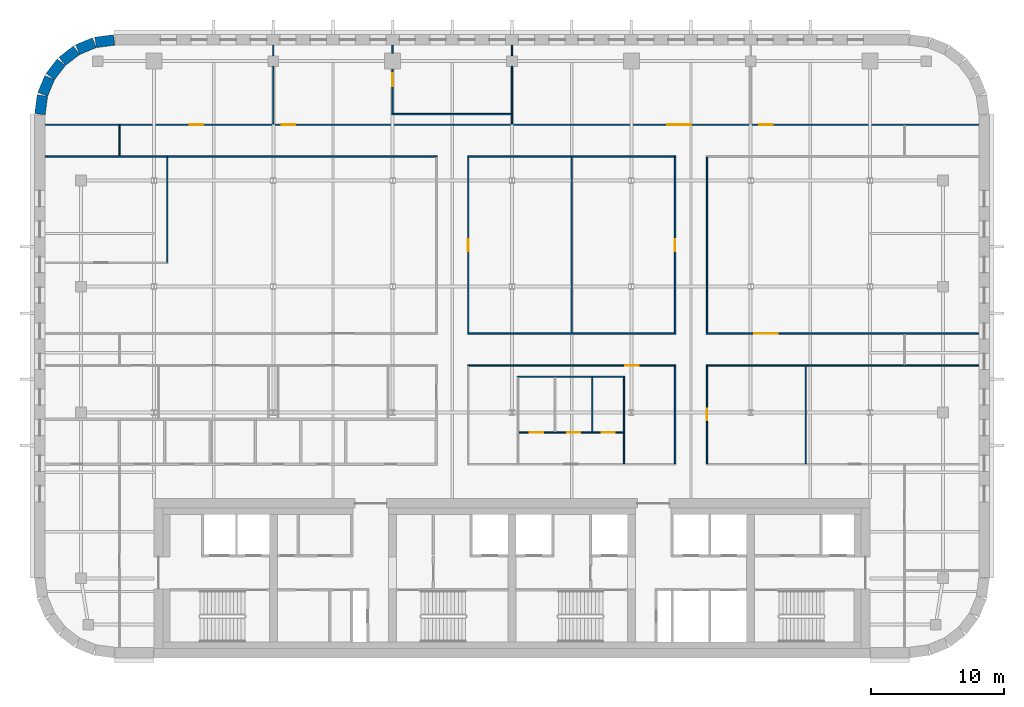
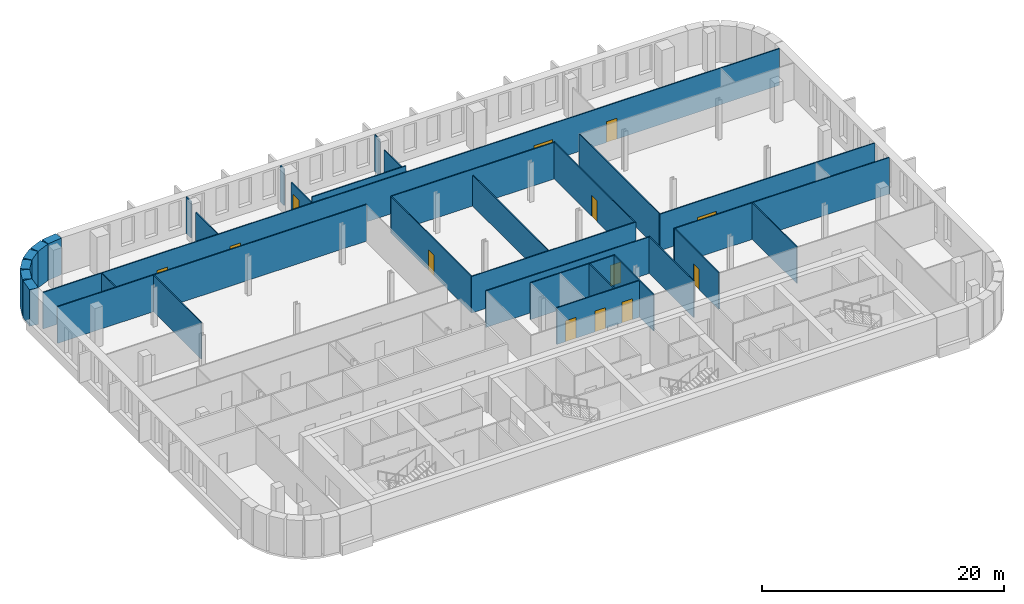
# One storey, part 9 of 15: 33 walls, 13 doors, 13 openings.
"""IFC4 building model written with IfcOpenShell, lengths in metres."""

from ifc_helpers import new_model, si_unit, direction, frame, frame_2d, origin, place, context, subcontext, project, spatial, rectangle, extrude, material, layer, layer_set, type_object, element, fill, save


model = new_model("IFC4")

# Units and contexts
model_context = context("Model", 3, precision=1e-05, world=origin(), true_north=direction((0.0, 1.0)))
body_context = subcontext(model_context, "Body", "Model", "MODEL_VIEW")
ifc_project = project(units=[si_unit("LENGTHUNIT", "METRE"), si_unit("AREAUNIT", "SQUARE_METRE"), si_unit("VOLUMEUNIT", "CUBIC_METRE"), si_unit("PLANEANGLEUNIT", "RADIAN"), si_unit("MASSUNIT", "GRAM", prefix="KILO")], contexts=[model_context])

# Site, building, storey
site_placement = place(None, origin())
site = spatial("IfcSite", under=ifc_project, at=site_placement, CompositionType="ELEMENT")
building_placement = place(site_placement, origin())
building = spatial("IfcBuilding", under=site, at=building_placement, Name="Zellij Exchange Tower", CompositionType="ELEMENT")
storey_placement = place(building_placement, frame((0.0, 0.0, 260.5)))
storey = spatial("IfcBuildingStorey", under=building, at=storey_placement, Name="L61", CompositionType="ELEMENT", Elevation=260.5)

# Walls
ifc_material_1 = material(Name="Precast concrete C40/50", Category="concrete")
ifc_layer_1 = layer(ifc_material_1, 0.800048828125)
ifc_layer_set_1 = layer_set([ifc_layer_1], Name="Precast concrete C40/50")
wall_type_1 = type_object("IfcWallType", Name="ENV-EW1 Precast stone-piered wall 800", PredefinedType="SOLIDWALL", material=ifc_layer_set_1)
wall_1_placement = place(storey_placement, frame((-29.999755859375, 32.5966796875, 0.0), z_axis=(0.0, 0.0, 1.0), x_axis=(-0.99144603414, -0.130517283865, 0.0)))
element("IfcWall", 1, at=wall_1_placement, inside=storey, type_object=wall_type_1, Name="fac.L61.15", PredefinedType="SOLIDWALL", context=body_context, shape_type="SweptSolid", body=[
    extrude(rectangle(XDim=1.408447265625, YDim=0.800048828125, at=frame_2d((0.7041015625, 0.0))), origin(), (0.0, 0.0, 1.0), 3.699951171875),
])
wall_2_placement = place(storey_placement, frame((-31.497314453125, 32.3857421875, 0.0), z_axis=(0.0, 0.0, 1.0), x_axis=(-0.923847774587, -0.38276009378, 0.0)))
element("IfcWall", 2, at=wall_2_placement, inside=storey, type_object=wall_type_1, Name="fac.L61.16", PredefinedType="SOLIDWALL", context=body_context, shape_type="SweptSolid", body=[
    extrude(rectangle(XDim=1.35546875, YDim=0.800048828125, at=frame_2d((0.677734375, 0.0))), origin(), (0.0, 0.0, 1.0), 3.699951171875),
])
for number, where, z_axis, x_axis, name in (
    (3, (-32.840087890625, 31.814697265625, 0.0), (0.0, 0.0, 1.0), (-0.793272915452, -0.608866226366, 0.0), "fac.L61.17"),
    (4, (-33.9892578125, 30.91552734375, 0.0), (0.0, 0.0, 1.0), (-0.608866226366, -0.793272915452, 0.0), "fac.L61.18"),
):
    element("IfcWall", number, at=place(storey_placement, frame(where, z_axis=z_axis, x_axis=x_axis)), inside=storey, type_object=wall_type_1, Name=name, PredefinedType="SOLIDWALL", context=body_context, shape_type="SweptSolid", body=[
        extrude(rectangle(XDim=1.355712890625, YDim=0.800048828125, at=frame_2d((0.677734375, 0.0))), origin(), (0.0, 0.0, 1.0), 3.699951171875),
    ])
wall_3_placement = place(storey_placement, frame((-34.866943359375, 29.74951171875, 0.0), z_axis=(0.0, 0.0, 1.0), x_axis=(-0.38276009378, -0.923847774587, 0.0)))
element("IfcWall", 5, at=wall_3_placement, inside=storey, type_object=wall_type_1, Name="fac.L61.19", PredefinedType="SOLIDWALL", context=body_context, shape_type="SweptSolid", body=[
    extrude(rectangle(XDim=1.35546875, YDim=0.800048828125, at=frame_2d((0.677734375, 0.0))), origin(), (0.0, 0.0, 1.0), 3.699951171875),
])
wall_4_placement = place(storey_placement, frame((-35.412841796875, 28.396240234375, 0.0), z_axis=(0.0, 0.0, 1.0), x_axis=(-0.130517283865, -0.99144603414, 0.0)))
element("IfcWall", 6, at=wall_4_placement, inside=storey, type_object=wall_type_1, Name="fac.L61.20", PredefinedType="SOLIDWALL", context=body_context, shape_type="SweptSolid", body=[
    extrude(rectangle(XDim=1.408447265625, YDim=0.800048828125, at=frame_2d((0.7041015625, 0.0))), origin(), (0.0, 0.0, 1.0), 3.699951171875),
])
ifc_material_2 = material(Name="Gypsum board partition on steel studs", Category="steel")
ifc_layer_2 = layer(ifc_material_2, 0.10009765625)
ifc_layer_set_2 = layer_set([ifc_layer_2], Name="Gypsum board partition on steel studs")
wall_type_2 = type_object("IfcWallType", Name="FIT-PARTITION-100", PredefinedType="PARTITIONING", material=ifc_layer_set_2)
wall_5_placement = place(storey_placement, frame((8.449951171875, 0.64990234375, 0.0), z_axis=(0.0, 0.0, 1.0), x_axis=(0.0, 1.0, 0.0)))
element("IfcWall", 7, at=wall_5_placement, inside=storey, type_object=wall_type_2, Name="FIT-PARTITION-100 017", PredefinedType="PARTITIONING", context=body_context, shape_type="SweptSolid", body=[
    extrude(rectangle(XDim=6.5, YDim=0.10009765625, at=frame_2d((3.25, 0.0))), origin(), (0.0, 0.0, 1.0), 3.699951171875),
])
wall_6_placement = place(storey_placement, frame((12.300048828125, 0.64990234375, 0.0), z_axis=(0.0, 0.0, 1.0), x_axis=(0.0, 1.0, 0.0)))
element("IfcWall", 8, at=wall_6_placement, inside=storey, type_object=wall_type_2, Name="FIT-PARTITION-100 018", PredefinedType="PARTITIONING", context=body_context, shape_type="SweptSolid", body=[
    extrude(rectangle(XDim=7.35009765625, YDim=0.10009765625, at=frame_2d((3.675048828125, 0.0))), origin(), (0.0, 0.0, 1.0), 3.699951171875),
])

# Wall, opening, door
wall_7_placement = place(storey_placement, frame((14.699951171875, 0.64990234375, 0.0), z_axis=(0.0, 0.0, 1.0), x_axis=(0.0, 1.0, 0.0)))
wall_7 = element("IfcWall", 9, at=wall_7_placement, inside=storey, type_object=wall_type_2, Name="FIT-PARTITION-100 020", PredefinedType="PARTITIONING", context=body_context, shape_type="SweptSolid", body=[
    extrude(rectangle(XDim=7.35009765625, YDim=0.10009765625, at=frame_2d((3.675048828125, 0.0))), origin(), (0.0, 0.0, 1.0), 3.699951171875),
])
opening_1_placement = place(wall_7_placement, frame((3.25, 0.0, 0.0)))
opening_1 = element("IfcOpeningElement", 10, at=opening_1_placement, cuts=wall_7, Name="Opening O4F.15", PredefinedType="OPENING", context=body_context, shape_type="SweptSolid", body=[
    extrude(rectangle(XDim=0.89990234375, YDim=2.10009765625, at=frame_2d((0.449951171875, 1.050048828125))), frame((0.0, 0.06201171875, 0.0), z_axis=(0.0, -1.0, 0.0), x_axis=(1.0, 0.0, 0.0)), (0.0, 0.0, 1.0), 0.1240234375),
])
ifc_material_3 = material(Name="Timber door set", Category="wood")
door_type_1 = type_object("IfcDoorType", Name="FIT-D1-ROOM-900X2100", OperationType="SINGLE_SWING_LEFT", PredefinedType="DOOR", material=ifc_material_3)
door_1_placement = place(opening_1_placement, origin())
door_1 = element("IfcDoor", 11, at=door_1_placement, inside=storey, type_object=door_type_1, Name="Door O4F.15", OperationType="SINGLE_SWING_RIGHT", OverallHeight=2.10009765625, OverallWidth=0.89990234375, PredefinedType="DOOR", context=body_context, shape_type="SweptSolid", body=[
    extrude(rectangle(XDim=0.89990234375, YDim=2.10009765625, at=frame_2d((0.449951171875, 1.050048828125))), frame((0.0, 0.02490234375, 0.0), z_axis=(0.0, -1.0, 0.0), x_axis=(1.0, 0.0, 0.0)), (0.0, 0.0, 1.0), 0.050048828125),
])
fill(opening_1, door_1)

# Wall
wall_8_placement = place(storey_placement, frame((22.14990234375, 0.64990234375, 0.0), z_axis=(0.0, 0.0, 1.0), x_axis=(0.0, 1.0, 0.0)))
element("IfcWall", 12, at=wall_8_placement, inside=storey, type_object=wall_type_2, Name="FIT-PARTITION-100 021", PredefinedType="PARTITIONING", context=body_context, shape_type="SweptSolid", body=[
    extrude(rectangle(XDim=7.35009765625, YDim=0.10009765625, at=frame_2d((3.675048828125, 0.0))), origin(), (0.0, 0.0, 1.0), 3.699951171875),
])

# Wall, openings, doors
wall_9_placement = place(storey_placement, frame((0.5, 3.0, 0.0), z_axis=(0.0, 0.0, 1.0), x_axis=(1.0, 0.0, 0.0)))
wall_9 = element("IfcWall", 13, at=wall_9_placement, inside=storey, type_object=wall_type_2, Name="FIT-PARTITION-100 022", PredefinedType="PARTITIONING", context=body_context, shape_type="SweptSolid", body=[
    extrude(rectangle(XDim=7.89990234375, YDim=0.10009765625, at=frame_2d((3.949951171875, 0.0))), origin(), (0.0, 0.0, 1.0), 3.699951171875),
])
opening_2_placement = place(wall_9_placement, frame((0.85009765625, 0.0, 0.0)))
opening_2 = element("IfcOpeningElement", 14, at=opening_2_placement, cuts=wall_9, Name="Opening O4F.12", PredefinedType="OPENING", context=body_context, shape_type="SweptSolid", body=[
    extrude(rectangle(XDim=1.0, YDim=2.10009765625, at=frame_2d((0.5, 1.050048828125))), frame((0.0, 0.06201171875, 0.0), z_axis=(0.0, -1.0, 0.0), x_axis=(1.0, 0.0, 0.0)), (0.0, 0.0, 1.0), 0.1240234375),
])
opening_3_placement = place(wall_9_placement, frame((3.64990234375, 0.0, 0.0)))
opening_3 = element("IfcOpeningElement", 15, at=opening_3_placement, cuts=wall_9, Name="Opening O4F.13", PredefinedType="OPENING", context=body_context, shape_type="SweptSolid", body=[
    extrude(rectangle(XDim=1.0, YDim=2.10009765625, at=frame_2d((0.5, 1.050048828125))), frame((0.0, 0.06201171875, 0.0), z_axis=(0.0, -1.0, 0.0), x_axis=(1.0, 0.0, 0.0)), (0.0, 0.0, 1.0), 0.1240234375),
])
opening_4_placement = place(wall_9_placement, frame((6.25, 0.0, 0.0)))
opening_4 = element("IfcOpeningElement", 16, at=opening_4_placement, cuts=wall_9, Name="Opening O4F.14", PredefinedType="OPENING", context=body_context, shape_type="SweptSolid", body=[
    extrude(rectangle(XDim=1.0, YDim=2.10009765625, at=frame_2d((0.5, 1.050048828125))), frame((0.0, 0.06201171875, 0.0), z_axis=(0.0, -1.0, 0.0), x_axis=(1.0, 0.0, 0.0)), (0.0, 0.0, 1.0), 0.1240234375),
])
door_type_2 = type_object("IfcDoorType", Name="FIT-D2-WIDE-1000X2100", OperationType="SINGLE_SWING_LEFT", PredefinedType="DOOR", material=ifc_material_3)
door_2_placement = place(opening_2_placement, origin())
door_2 = element("IfcDoor", 17, at=door_2_placement, inside=storey, type_object=door_type_2, Name="Door O4F.12", OperationType="SINGLE_SWING_LEFT", OverallHeight=2.10009765625, OverallWidth=1.0, PredefinedType="DOOR", context=body_context, shape_type="SweptSolid", body=[
    extrude(rectangle(XDim=1.0, YDim=2.10009765625, at=frame_2d((0.5, 1.050048828125))), frame((0.0, 0.02490234375, 0.0), z_axis=(0.0, -1.0, 0.0), x_axis=(1.0, 0.0, 0.0)), (0.0, 0.0, 1.0), 0.050048828125),
])
fill(opening_2, door_2)
door_3_placement = place(opening_3_placement, origin())
door_3 = element("IfcDoor", 18, at=door_3_placement, inside=storey, type_object=door_type_2, Name="Door O4F.13", OperationType="SINGLE_SWING_LEFT", OverallHeight=2.10009765625, OverallWidth=1.0, PredefinedType="DOOR", context=body_context, shape_type="SweptSolid", body=[
    extrude(rectangle(XDim=1.0, YDim=2.10009765625, at=frame_2d((0.5, 1.050048828125))), frame((0.0, 0.02490234375, 0.0), z_axis=(0.0, -1.0, 0.0), x_axis=(1.0, 0.0, 0.0)), (0.0, 0.0, 1.0), 0.050048828125),
])
fill(opening_3, door_3)
door_4_placement = place(opening_4_placement, origin())
door_4 = element("IfcDoor", 19, at=door_4_placement, inside=storey, type_object=door_type_2, Name="Door O4F.14", OperationType="SINGLE_SWING_LEFT", OverallHeight=2.10009765625, OverallWidth=1.0, PredefinedType="DOOR", context=body_context, shape_type="SweptSolid", body=[
    extrude(rectangle(XDim=1.0, YDim=2.10009765625, at=frame_2d((0.5, 1.050048828125))), frame((0.0, 0.02490234375, 0.0), z_axis=(0.0, -1.0, 0.0), x_axis=(1.0, 0.0, 0.0)), (0.0, 0.0, 1.0), 0.050048828125),
])
fill(opening_4, door_4)

# Walls
wall_10_placement = place(storey_placement, frame((6.050048828125, 3.050048828125, 0.0), z_axis=(0.0, 0.0, 1.0), x_axis=(0.0, 1.0, 0.0)))
element("IfcWall", 20, at=wall_10_placement, inside=storey, type_object=wall_type_2, Name="FIT-PARTITION-100 024", PredefinedType="PARTITIONING", context=body_context, shape_type="SweptSolid", body=[
    extrude(rectangle(XDim=4.099853515625, YDim=0.10009765625, at=frame_2d((2.0498046875, 0.0))), origin(), (0.0, 0.0, 1.0), 3.699951171875),
])
wall_11_placement = place(storey_placement, frame((0.39990234375, 7.199951171875, 0.0), z_axis=(0.0, 0.0, 1.0), x_axis=(1.0, 0.0, 0.0)))
element("IfcWall", 21, at=wall_11_placement, inside=storey, type_object=wall_type_2, Name="FIT-PARTITION-100 033", PredefinedType="PARTITIONING", context=body_context, shape_type="SweptSolid", body=[
    extrude(rectangle(XDim=8.10009765625, YDim=0.10009765625, at=frame_2d((4.050048828125, 0.0))), origin(), (0.0, 0.0, 1.0), 3.699951171875),
])

# Wall, opening, door
wall_12_placement = place(storey_placement, frame((-3.35009765625, 8.050048828125, 0.0), z_axis=(0.0, 0.0, 1.0), x_axis=(1.0, 0.0, 0.0)))
wall_12 = element("IfcWall", 22, at=wall_12_placement, inside=storey, type_object=wall_type_2, Name="FIT-PARTITION-100 036", PredefinedType="PARTITIONING", context=body_context, shape_type="SweptSolid", body=[
    extrude(rectangle(XDim=15.7001953125, YDim=0.10009765625, at=frame_2d((7.85009765625, 0.0))), origin(), (0.0, 0.0, 1.0), 3.699951171875),
])
opening_5_placement = place(wall_12_placement, frame((11.89990234375, 0.0, 0.0)))
opening_5 = element("IfcOpeningElement", 23, at=opening_5_placement, cuts=wall_12, Name="Opening O4F.20", PredefinedType="OPENING", context=body_context, shape_type="SweptSolid", body=[
    extrude(rectangle(XDim=1.0, YDim=2.10009765625, at=frame_2d((0.5, 1.050048828125))), frame((0.0, 0.06201171875, 0.0), z_axis=(0.0, -1.0, 0.0), x_axis=(1.0, 0.0, 0.0)), (0.0, 0.0, 1.0), 0.1240234375),
])
door_5_placement = place(opening_5_placement, origin())
door_5 = element("IfcDoor", 24, at=door_5_placement, inside=storey, type_object=door_type_2, Name="Door O4F.20", OperationType="SINGLE_SWING_RIGHT", OverallHeight=2.10009765625, OverallWidth=1.0, PredefinedType="DOOR", context=body_context, shape_type="SweptSolid", body=[
    extrude(rectangle(XDim=1.0, YDim=2.10009765625, at=frame_2d((0.5, 1.050048828125))), frame((0.0, 0.02490234375, 0.0), z_axis=(0.0, -1.0, 0.0), x_axis=(1.0, 0.0, 0.0)), (0.0, 0.0, 1.0), 0.050048828125),
])
fill(opening_5, door_5)

# Walls
wall_13_placement = place(storey_placement, frame((14.64990234375, 8.050048828125, 0.0), z_axis=(0.0, 0.0, 1.0), x_axis=(1.0, 0.0, 0.0)))
element("IfcWall", 25, at=wall_13_placement, inside=storey, type_object=wall_type_2, Name="FIT-PARTITION-100 037", PredefinedType="PARTITIONING", context=body_context, shape_type="SweptSolid", body=[
    extrude(rectangle(XDim=20.550048828125, YDim=0.10009765625, at=frame_2d((10.27490234375, 0.0))), origin(), (0.0, 0.0, 1.0), 3.699951171875),
])
wall_14_placement = place(storey_placement, frame((-3.35009765625, 10.449951171875, 0.0), z_axis=(0.0, 0.0, 1.0), x_axis=(1.0, 0.0, 0.0)))
element("IfcWall", 26, at=wall_14_placement, inside=storey, type_object=wall_type_2, Name="FIT-PARTITION-100 041", PredefinedType="PARTITIONING", context=body_context, shape_type="SweptSolid", body=[
    extrude(rectangle(XDim=15.7001953125, YDim=0.10009765625, at=frame_2d((7.85009765625, 0.0))), origin(), (0.0, 0.0, 1.0), 3.699951171875),
])

# Wall, opening, door
wall_15_placement = place(storey_placement, frame((-3.300048828125, 10.5, 0.0), z_axis=(0.0, 0.0, 1.0), x_axis=(0.0, 1.0, 0.0)))
wall_15 = element("IfcWall", 27, at=wall_15_placement, inside=storey, type_object=wall_type_2, Name="FIT-PARTITION-100 042", PredefinedType="PARTITIONING", context=body_context, shape_type="SweptSolid", body=[
    extrude(rectangle(XDim=13.25, YDim=0.10009765625, at=frame_2d((6.625, 0.0))), origin(), (0.0, 0.0, 1.0), 3.699951171875),
])
opening_6_placement = place(wall_15_placement, frame((6.14990234375, 0.0, 0.0)))
opening_6 = element("IfcOpeningElement", 28, at=opening_6_placement, cuts=wall_15, Name="Opening O4F.24", PredefinedType="OPENING", context=body_context, shape_type="SweptSolid", body=[
    extrude(rectangle(XDim=0.89990234375, YDim=2.10009765625, at=frame_2d((0.449951171875, 1.050048828125))), frame((0.0, 0.06201171875, 0.0), z_axis=(0.0, -1.0, 0.0), x_axis=(1.0, 0.0, 0.0)), (0.0, 0.0, 1.0), 0.1240234375),
])
door_6_placement = place(opening_6_placement, origin())
door_6 = element("IfcDoor", 29, at=door_6_placement, inside=storey, type_object=door_type_1, Name="Door O4F.24", OperationType="SINGLE_SWING_LEFT", OverallHeight=2.10009765625, OverallWidth=0.89990234375, PredefinedType="DOOR", context=body_context, shape_type="SweptSolid", body=[
    extrude(rectangle(XDim=0.89990234375, YDim=2.10009765625, at=frame_2d((0.449951171875, 1.050048828125))), frame((0.0, 0.02490234375, 0.0), z_axis=(0.0, -1.0, 0.0), x_axis=(1.0, 0.0, 0.0)), (0.0, 0.0, 1.0), 0.050048828125),
])
fill(opening_6, door_6)

# Wall
wall_16_placement = place(storey_placement, frame((4.5, 10.5, 0.0), z_axis=(0.0, 0.0, 1.0), x_axis=(0.0, 1.0, 0.0)))
element("IfcWall", 30, at=wall_16_placement, inside=storey, type_object=wall_type_2, Name="FIT-PARTITION-100 043", PredefinedType="PARTITIONING", context=body_context, shape_type="SweptSolid", body=[
    extrude(rectangle(XDim=13.25, YDim=0.10009765625, at=frame_2d((6.625, 0.0))), origin(), (0.0, 0.0, 1.0), 3.1005859375),
])

# Wall, opening, door
wall_17_placement = place(storey_placement, frame((12.300048828125, 10.5, 0.0), z_axis=(0.0, 0.0, 1.0), x_axis=(0.0, 1.0, 0.0)))
wall_17 = element("IfcWall", 31, at=wall_17_placement, inside=storey, type_object=wall_type_2, Name="FIT-PARTITION-100 044", PredefinedType="PARTITIONING", context=body_context, shape_type="SweptSolid", body=[
    extrude(rectangle(XDim=13.25, YDim=0.10009765625, at=frame_2d((6.625, 0.0))), origin(), (0.0, 0.0, 1.0), 3.699951171875),
])
opening_7_placement = place(wall_17_placement, frame((6.14990234375, 0.0, 0.0)))
opening_7 = element("IfcOpeningElement", 32, at=opening_7_placement, cuts=wall_17, Name="Opening O4F.25", PredefinedType="OPENING", context=body_context, shape_type="SweptSolid", body=[
    extrude(rectangle(XDim=0.89990234375, YDim=2.10009765625, at=frame_2d((0.449951171875, 1.050048828125))), frame((0.0, 0.06201171875, 0.0), z_axis=(0.0, -1.0, 0.0), x_axis=(1.0, 0.0, 0.0)), (0.0, 0.0, 1.0), 0.1240234375),
])
door_7_placement = place(opening_7_placement, origin())
door_7 = element("IfcDoor", 33, at=door_7_placement, inside=storey, type_object=door_type_1, Name="Door O4F.25", OperationType="SINGLE_SWING_RIGHT", OverallHeight=2.10009765625, OverallWidth=0.89990234375, PredefinedType="DOOR", context=body_context, shape_type="SweptSolid", body=[
    extrude(rectangle(XDim=0.89990234375, YDim=2.10009765625, at=frame_2d((0.449951171875, 1.050048828125))), frame((0.0, 0.02490234375, 0.0), z_axis=(0.0, -1.0, 0.0), x_axis=(1.0, 0.0, 0.0)), (0.0, 0.0, 1.0), 0.050048828125),
])
fill(opening_7, door_7)

wall_18_placement = place(storey_placement, frame((14.64990234375, 10.449951171875, 0.0), z_axis=(0.0, 0.0, 1.0), x_axis=(1.0, 0.0, 0.0)))
wall_18 = element("IfcWall", 34, at=wall_18_placement, inside=storey, type_object=wall_type_2, Name="FIT-PARTITION-100 045", PredefinedType="PARTITIONING", context=body_context, shape_type="SweptSolid", body=[
    extrude(rectangle(XDim=20.550048828125, YDim=0.10009765625, at=frame_2d((10.27490234375, 0.0))), origin(), (0.0, 0.0, 1.0), 3.699951171875),
])
opening_8_placement = place(wall_18_placement, frame((3.60009765625, 0.0, 0.0)))
opening_8 = element("IfcOpeningElement", 35, at=opening_8_placement, cuts=wall_18, Name="Opening O4F.22", PredefinedType="OPENING", context=body_context, shape_type="SweptSolid", body=[
    extrude(rectangle(XDim=1.800048828125, YDim=2.10009765625, at=frame_2d((0.89990234375, 1.050048828125))), frame((0.0, 0.06201171875, 0.0), z_axis=(0.0, -1.0, 0.0), x_axis=(1.0, 0.0, 0.0)), (0.0, 0.0, 1.0), 0.1240234375),
])
door_type_3 = type_object("IfcDoorType", Name="FIT-D3-DOUBLE-1800X2100", OperationType="DOUBLE_DOOR_SINGLE_SWING", PredefinedType="DOOR", material=ifc_material_3)
door_8_placement = place(opening_8_placement, origin())
door_8 = element("IfcDoor", 36, at=door_8_placement, inside=storey, type_object=door_type_3, Name="Door O4F.22", OperationType="DOUBLE_DOOR_SINGLE_SWING", OverallHeight=2.10009765625, OverallWidth=1.800048828125, PredefinedType="DOOR", context=body_context, shape_type="SweptSolid", body=[
    extrude(rectangle(XDim=1.800048828125, YDim=2.10009765625, at=frame_2d((0.89990234375, 1.050048828125))), frame((0.0, 0.02490234375, 0.0), z_axis=(0.0, -1.0, 0.0), x_axis=(1.0, 0.0, 0.0)), (0.0, 0.0, 1.0), 0.050048828125),
])
fill(opening_8, door_8)

# Walls
wall_19_placement = place(storey_placement, frame((14.699951171875, 10.5, 0.0), z_axis=(0.0, 0.0, 1.0), x_axis=(0.0, 1.0, 0.0)))
element("IfcWall", 37, at=wall_19_placement, inside=storey, type_object=wall_type_2, Name="FIT-PARTITION-100 046", PredefinedType="PARTITIONING", context=body_context, shape_type="SweptSolid", body=[
    extrude(rectangle(XDim=13.25, YDim=0.10009765625, at=frame_2d((6.625, 0.0))), origin(), (0.0, 0.0, 1.0), 3.699951171875),
])
wall_20_placement = place(storey_placement, frame((-26.0, 15.85009765625, 0.0), z_axis=(0.0, 0.0, 1.0), x_axis=(0.0, 1.0, 0.0)))
element("IfcWall", 38, at=wall_20_placement, inside=storey, type_object=wall_type_2, Name="FIT-PARTITION-100 048", PredefinedType="PARTITIONING", context=body_context, shape_type="SweptSolid", body=[
    extrude(rectangle(XDim=7.89990234375, YDim=0.10009765625, at=frame_2d((3.949951171875, 0.0))), origin(), (0.0, 0.0, 1.0), 3.699951171875),
])
wall_21_placement = place(storey_placement, frame((-35.199951171875, 23.800048828125, 0.0), z_axis=(0.0, 0.0, 1.0), x_axis=(1.0, 0.0, 0.0)))
element("IfcWall", 39, at=wall_21_placement, inside=storey, type_object=wall_type_2, Name="FIT-PARTITION-100 049", PredefinedType="PARTITIONING", context=body_context, shape_type="SweptSolid", body=[
    extrude(rectangle(XDim=29.550048828125, YDim=0.10009765625, at=frame_2d((14.77490234375, 0.0))), origin(), (0.0, 0.0, 1.0), 3.699951171875),
])
wall_22_placement = place(storey_placement, frame((-29.60009765625, 23.85009765625, 0.0), z_axis=(0.0, 0.0, 1.0), x_axis=(0.0, 1.0, 0.0)))
element("IfcWall", 40, at=wall_22_placement, inside=storey, type_object=wall_type_2, Name="FIT-PARTITION-100 050", PredefinedType="PARTITIONING", context=body_context, shape_type="SweptSolid", body=[
    extrude(rectangle(XDim=2.2998046875, YDim=0.10009765625, at=frame_2d((1.14990234375, 0.0))), origin(), (0.0, 0.0, 1.0), 3.699951171875),
])
wall_23_placement = place(storey_placement, frame((-3.35009765625, 23.800048828125, 0.0), z_axis=(0.0, 0.0, 1.0), x_axis=(1.0, 0.0, 0.0)))
element("IfcWall", 41, at=wall_23_placement, inside=storey, type_object=wall_type_2, Name="FIT-PARTITION-100 051", PredefinedType="PARTITIONING", context=body_context, shape_type="SweptSolid", body=[
    extrude(rectangle(XDim=15.7001953125, YDim=0.10009765625, at=frame_2d((7.85009765625, 0.0))), origin(), (0.0, 0.0, 1.0), 3.699951171875),
])

# Wall, openings, doors
wall_24_placement = place(storey_placement, frame((-35.199951171875, 26.199951171875, 0.0), z_axis=(0.0, 0.0, 1.0), x_axis=(1.0, 0.0, 0.0)))
wall_24 = element("IfcWall", 42, at=wall_24_placement, inside=storey, type_object=wall_type_2, Name="FIT-PARTITION-100 054", PredefinedType="PARTITIONING", context=body_context, shape_type="SweptSolid", body=[
    extrude(rectangle(XDim=70.39990234375, YDim=0.10009765625, at=frame_2d((35.199951171875, 0.0))), origin(), (0.0, 0.0, 1.0), 3.699951171875),
])
opening_9_placement = place(wall_24_placement, frame((10.89990234375, 0.0, 0.0)))
opening_9 = element("IfcOpeningElement", 43, at=opening_9_placement, cuts=wall_24, Name="Opening O4F.26", PredefinedType="OPENING", context=body_context, shape_type="SweptSolid", body=[
    extrude(rectangle(XDim=1.0, YDim=2.10009765625, at=frame_2d((0.5, 1.050048828125))), frame((0.0, 0.06201171875, 0.0), z_axis=(0.0, -1.0, 0.0), x_axis=(1.0, 0.0, 0.0)), (0.0, 0.0, 1.0), 0.1240234375),
])
opening_10_placement = place(wall_24_placement, frame((17.85009765625, 0.0, 0.0)))
opening_10 = element("IfcOpeningElement", 44, at=opening_10_placement, cuts=wall_24, Name="Opening O4F.27", PredefinedType="OPENING", context=body_context, shape_type="SweptSolid", body=[
    extrude(rectangle(XDim=1.0, YDim=2.10009765625, at=frame_2d((0.5, 1.050048828125))), frame((0.0, 0.06201171875, 0.0), z_axis=(0.0, -1.0, 0.0), x_axis=(1.0, 0.0, 0.0)), (0.0, 0.0, 1.0), 0.1240234375),
])
opening_11_placement = place(wall_24_placement, frame((46.89990234375, 0.0, 0.0)))
opening_11 = element("IfcOpeningElement", 45, at=opening_11_placement, cuts=wall_24, Name="Opening O4F.28", PredefinedType="OPENING", context=body_context, shape_type="SweptSolid", body=[
    extrude(rectangle(XDim=1.800048828125, YDim=2.10009765625, at=frame_2d((0.89990234375, 1.050048828125))), frame((0.0, 0.06201171875, 0.0), z_axis=(0.0, -1.0, 0.0), x_axis=(1.0, 0.0, 0.0)), (0.0, 0.0, 1.0), 0.1240234375),
])
opening_12_placement = place(wall_24_placement, frame((53.85009765625, 0.0, 0.0)))
opening_12 = element("IfcOpeningElement", 46, at=opening_12_placement, cuts=wall_24, Name="Opening O4F.29", PredefinedType="OPENING", context=body_context, shape_type="SweptSolid", body=[
    extrude(rectangle(XDim=1.0, YDim=2.10009765625, at=frame_2d((0.5, 1.050048828125))), frame((0.0, 0.06201171875, 0.0), z_axis=(0.0, -1.0, 0.0), x_axis=(1.0, 0.0, 0.0)), (0.0, 0.0, 1.0), 0.1240234375),
])
door_9_placement = place(opening_9_placement, origin())
door_9 = element("IfcDoor", 47, at=door_9_placement, inside=storey, type_object=door_type_2, Name="Door O4F.26", OperationType="SINGLE_SWING_RIGHT", OverallHeight=2.10009765625, OverallWidth=1.0, PredefinedType="DOOR", context=body_context, shape_type="SweptSolid", body=[
    extrude(rectangle(XDim=1.0, YDim=2.10009765625, at=frame_2d((0.5, 1.050048828125))), frame((0.0, 0.02490234375, 0.0), z_axis=(0.0, -1.0, 0.0), x_axis=(1.0, 0.0, 0.0)), (0.0, 0.0, 1.0), 0.050048828125),
])
fill(opening_9, door_9)
door_10_placement = place(opening_10_placement, origin())
door_10 = element("IfcDoor", 48, at=door_10_placement, inside=storey, type_object=door_type_2, Name="Door O4F.27", OperationType="SINGLE_SWING_RIGHT", OverallHeight=2.10009765625, OverallWidth=1.0, PredefinedType="DOOR", context=body_context, shape_type="SweptSolid", body=[
    extrude(rectangle(XDim=1.0, YDim=2.10009765625, at=frame_2d((0.5, 1.050048828125))), frame((0.0, 0.02490234375, 0.0), z_axis=(0.0, -1.0, 0.0), x_axis=(1.0, 0.0, 0.0)), (0.0, 0.0, 1.0), 0.050048828125),
])
fill(opening_10, door_10)
door_11_placement = place(opening_12_placement, origin())
door_11 = element("IfcDoor", 49, at=door_11_placement, inside=storey, type_object=door_type_2, Name="Door O4F.29", OperationType="SINGLE_SWING_RIGHT", OverallHeight=2.10009765625, OverallWidth=1.0, PredefinedType="DOOR", context=body_context, shape_type="SweptSolid", body=[
    extrude(rectangle(XDim=1.0, YDim=2.10009765625, at=frame_2d((0.5, 1.050048828125))), frame((0.0, 0.02490234375, 0.0), z_axis=(0.0, -1.0, 0.0), x_axis=(1.0, 0.0, 0.0)), (0.0, 0.0, 1.0), 0.050048828125),
])
fill(opening_12, door_11)
door_12_placement = place(opening_11_placement, origin())
door_12 = element("IfcDoor", 50, at=door_12_placement, inside=storey, type_object=door_type_3, Name="Door O4F.28", OperationType="DOUBLE_DOOR_SINGLE_SWING", OverallHeight=2.10009765625, OverallWidth=1.800048828125, PredefinedType="DOOR", context=body_context, shape_type="SweptSolid", body=[
    extrude(rectangle(XDim=1.800048828125, YDim=2.10009765625, at=frame_2d((0.89990234375, 1.050048828125))), frame((0.0, 0.02490234375, 0.0), z_axis=(0.0, -1.0, 0.0), x_axis=(1.0, 0.0, 0.0)), (0.0, 0.0, 1.0), 0.050048828125),
])
fill(opening_11, door_12)

# Walls
wall_25_placement = place(storey_placement, frame((-18.0, 26.25, 0.0), z_axis=(0.0, 0.0, 1.0), x_axis=(0.0, 1.0, 0.0)))
element("IfcWall", 51, at=wall_25_placement, inside=storey, type_object=wall_type_2, Name="FIT-PARTITION-100 055", PredefinedType="PARTITIONING", context=body_context, shape_type="SweptSolid", body=[
    extrude(rectangle(XDim=4.35009765625, YDim=0.10009765625, at=frame_2d((2.175048828125, 0.0))), origin(), (0.0, 0.0, 1.0), 3.093017578125),
])
wall_26_placement = place(storey_placement, frame((-18.0, 31.39990234375, 0.0), z_axis=(0.0, 0.0, 1.0), x_axis=(0.0, 1.0, 0.0)))
element("IfcWall", 52, at=wall_26_placement, inside=storey, type_object=wall_type_2, Name="FIT-PARTITION-100 056", PredefinedType="PARTITIONING", context=body_context, shape_type="SweptSolid", body=[
    extrude(rectangle(XDim=0.800048828125, YDim=0.10009765625, at=frame_2d((0.39990234375, 0.0))), origin(), (0.0, 0.0, 1.0), 3.699951171875),
])
wall_27_placement = place(storey_placement, frame((0.0, 26.25, 0.0), z_axis=(0.0, 0.0, 1.0), x_axis=(0.0, 1.0, 0.0)))
element("IfcWall", 53, at=wall_27_placement, inside=storey, type_object=wall_type_2, Name="FIT-PARTITION-100 057", PredefinedType="PARTITIONING", context=body_context, shape_type="SweptSolid", body=[
    extrude(rectangle(XDim=4.35009765625, YDim=0.10009765625, at=frame_2d((2.175048828125, 0.0))), origin(), (0.0, 0.0, 1.0), 3.093017578125),
])
wall_28_placement = place(storey_placement, frame((0.0, 31.39990234375, 0.0), z_axis=(0.0, 0.0, 1.0), x_axis=(0.0, 1.0, 0.0)))
element("IfcWall", 54, at=wall_28_placement, inside=storey, type_object=wall_type_2, Name="FIT-PARTITION-100 058", PredefinedType="PARTITIONING", context=body_context, shape_type="SweptSolid", body=[
    extrude(rectangle(XDim=0.800048828125, YDim=0.10009765625, at=frame_2d((0.39990234375, 0.0))), origin(), (0.0, 0.0, 1.0), 3.699951171875),
])
wall_29_placement = place(storey_placement, frame((-9.050048828125, 27.0, 0.0), z_axis=(0.0, 0.0, 1.0), x_axis=(1.0, 0.0, 0.0)))
element("IfcWall", 55, at=wall_29_placement, inside=storey, type_object=wall_type_2, Name="FIT-PARTITION-100 061", PredefinedType="PARTITIONING", context=body_context, shape_type="SweptSolid", body=[
    extrude(rectangle(XDim=9.0, YDim=0.10009765625, at=frame_2d((4.5, 0.0))), origin(), (0.0, 0.0, 1.0), 3.699951171875),
])

# Wall, opening, door
wall_30_placement = place(storey_placement, frame((-9.0, 27.050048828125, 0.0), z_axis=(0.0, 0.0, 1.0), x_axis=(0.0, 1.0, 0.0)))
wall_30 = element("IfcWall", 56, at=wall_30_placement, inside=storey, type_object=wall_type_2, Name="FIT-PARTITION-100 062", PredefinedType="PARTITIONING", context=body_context, shape_type="SweptSolid", body=[
    extrude(rectangle(XDim=3.349853515625, YDim=0.10009765625, at=frame_2d((1.6748046875, 0.0))), origin(), (0.0, 0.0, 1.0), 3.093017578125),
])
opening_13_placement = place(wall_30_placement, frame((2.050048828125, 0.0, 0.0)))
opening_13 = element("IfcOpeningElement", 57, at=opening_13_placement, cuts=wall_30, Name="Opening O4F.30", PredefinedType="OPENING", context=body_context, shape_type="SweptSolid", body=[
    extrude(rectangle(XDim=1.0, YDim=2.10009765625, at=frame_2d((0.5, 1.050048828125))), frame((0.0, 0.06201171875, 0.0), z_axis=(0.0, -1.0, 0.0), x_axis=(1.0, 0.0, 0.0)), (0.0, 0.0, 1.0), 0.1240234375),
])
door_13_placement = place(opening_13_placement, origin())
door_13 = element("IfcDoor", 58, at=door_13_placement, inside=storey, type_object=door_type_2, Name="Door O4F.30", OperationType="SINGLE_SWING_LEFT", OverallHeight=2.10009765625, OverallWidth=1.0, PredefinedType="DOOR", context=body_context, shape_type="SweptSolid", body=[
    extrude(rectangle(XDim=1.0, YDim=2.10009765625, at=frame_2d((0.5, 1.050048828125))), frame((0.0, 0.02490234375, 0.0), z_axis=(0.0, -1.0, 0.0), x_axis=(1.0, 0.0, 0.0)), (0.0, 0.0, 1.0), 0.050048828125),
])
fill(opening_13, door_13)

# Wall
wall_31_placement = place(storey_placement, frame((-9.0, 31.60009765625, 0.0), z_axis=(0.0, 0.0, 1.0), x_axis=(0.0, 1.0, 0.0)))
element("IfcWall", 59, at=wall_31_placement, inside=storey, type_object=wall_type_2, Name="FIT-PARTITION-100 063", PredefinedType="PARTITIONING", context=body_context, shape_type="SweptSolid", body=[
    extrude(rectangle(XDim=0.599853515625, YDim=0.10009765625, at=frame_2d((0.2998046875, 0.0))), origin(), (0.0, 0.0, 1.0), 3.699951171875),
])

save(model, "model.ifc")
